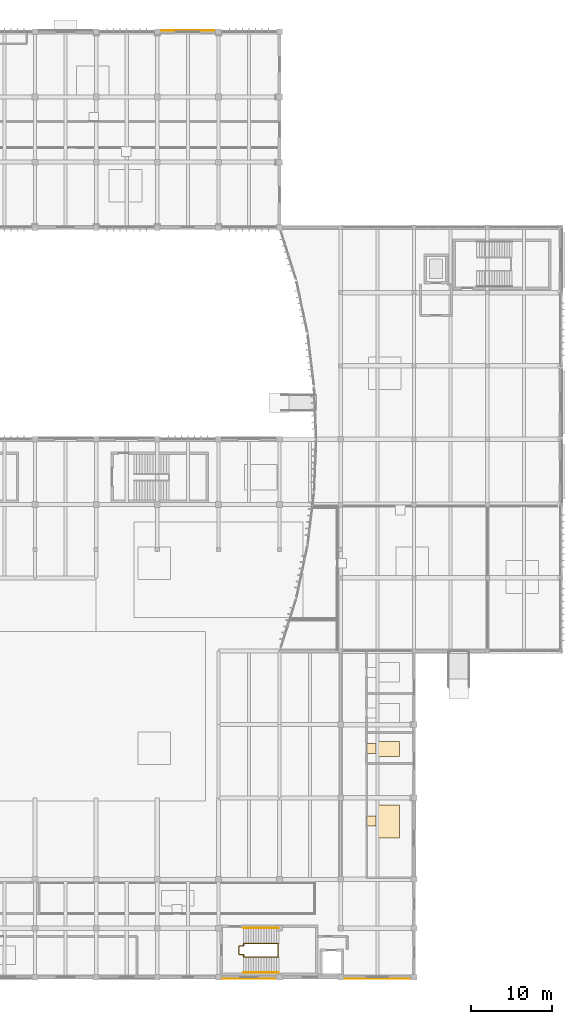
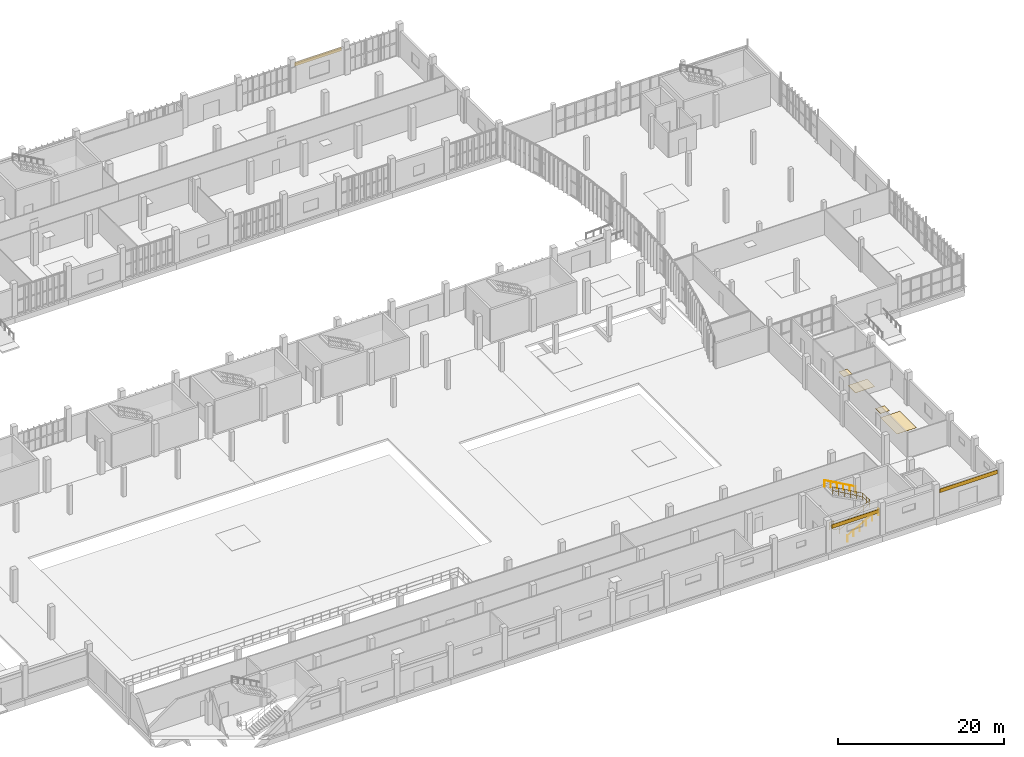
# One storey, part 68 of 72: 7 coverings, 4 railings.
"""IFC4 building model written with IfcOpenShell, lengths in metres."""

import ifcopenshell
import ifcopenshell.guid

model = None  # the IFC model being written
_history = None  # IfcOwnerHistory: only IFC2X3 demands one
_inside = {}  # id of a spatial element -> (the spatial element, [elements in it])
_under = {}  # id of a project, library or spatial element -> (it, [spatial elements below it])
_declared = {}  # id of a project -> (the project, [libraries it declares])
_typed = {}  # id of a type object -> (the type object, [elements of that type])
_made_of = {}  # id of a material, layer set ... -> (it, [elements and type objects made of it])


def new_model(schema):
    """Start an empty IFC model of exactly this schema.

    Asked for "IFC4X3", IfcOpenShell would pick the latest addendum, in which some entities
    have other attributes; the version numbers below select the first issue.
    IFC2X3 requires an IfcOwnerHistory on every rooted entity: one is made here for all.
    """
    global model, _history
    if schema == "IFC4X3":
        model = ifcopenshell.file(schema_version=(4, 3, 0, 0))
    else:
        model = ifcopenshell.file(schema=schema)
    _inside.clear()
    _under.clear()
    _declared.clear()
    _typed.clear()
    _made_of.clear()
    _history = None
    if model.schema == "IFC2X3":
        org = make("IfcOrganization", Name="unknown")
        user = make(
            "IfcPersonAndOrganization",
            ThePerson=make("IfcPerson", FamilyName="unknown"),
            TheOrganization=org,
        )
        app = make(
            "IfcApplication",
            ApplicationDeveloper=org,
            Version="unknown",
            ApplicationFullName="unknown",
            ApplicationIdentifier="unknown",
        )
        _history = make(
            "IfcOwnerHistory",
            OwningUser=user,
            OwningApplication=app,
            ChangeAction="ADDED",
            CreationDate=0,
        )
    return model


def make(cls, **values):
    """One entity of the class cls with the attributes given. An attribute that is None is left unset."""
    return model.create_entity(
        cls, **{name: value for name, value in values.items() if value is not None}
    )


def rooted(cls, **values):
    """An entity with a GlobalId (a new one), such as an element, a storey or a relation."""
    return make(cls, GlobalId=ifcopenshell.guid.new(), OwnerHistory=_history, **values)


def si_unit(unit_type, name, prefix=None):
    """IfcSIUnit, for example si_unit("LENGTHUNIT", "METRE", prefix="MILLI")."""
    return make("IfcSIUnit", UnitType=unit_type, Prefix=prefix, Name=name)


def assignment(units):
    """IfcUnitAssignment: the units of a project."""
    return None if units is None else make("IfcUnitAssignment", Units=units)


def point(xyz):
    """IfcCartesianPoint."""
    return None if xyz is None else make("IfcCartesianPoint", Coordinates=xyz)


def direction(xyz):
    """IfcDirection."""
    return None if xyz is None else make("IfcDirection", DirectionRatios=xyz)


def frame(location, z_axis=None, x_axis=None):
    """IfcAxis2Placement3D, a coordinate frame: its origin and axes. An axis left out is left unset."""
    return make(
        "IfcAxis2Placement3D",
        Location=point(location),
        Axis=direction(z_axis),
        RefDirection=direction(x_axis),
    )


def frame_2d(location, x_axis=None):
    """IfcAxis2Placement2D, a coordinate frame in the plane: its origin and x axis."""
    return make(
        "IfcAxis2Placement2D", Location=point(location), RefDirection=direction(x_axis)
    )


def origin():
    """The frame at (0, 0, 0) with its axes left unset."""
    return frame((0.0, 0.0, 0.0))


def origin_2d():
    """The frame at (0, 0) in the plane with its x axis left unset."""
    return frame_2d((0.0, 0.0))


def place(relative_to, where):
    """IfcLocalPlacement: puts the frame where relative to a parent placement (None: the world)."""
    return make(
        "IfcLocalPlacement", PlacementRelTo=relative_to, RelativePlacement=where
    )


def context(
    kind, dimensions, precision=None, world=None, true_north=None, identifier=None
):
    """IfcGeometricRepresentationContext, for example the 3D "Model" context."""
    return make(
        "IfcGeometricRepresentationContext",
        ContextIdentifier=identifier,
        ContextType=kind,
        CoordinateSpaceDimension=dimensions,
        Precision=precision,
        WorldCoordinateSystem=world,
        TrueNorth=true_north,
    )


def subcontext(parent, identifier, kind, view, scale=None):
    """IfcGeometricRepresentationSubContext, for example "Body" below "Model"."""
    return make(
        "IfcGeometricRepresentationSubContext",
        ContextIdentifier=identifier,
        ContextType=kind,
        ParentContext=parent,
        TargetScale=scale,
        TargetView=view,
    )


def project(units=None, contexts=None):
    """IfcProject with its units and contexts."""
    return rooted(
        "IfcProject",
        Name="project",
        RepresentationContexts=contexts,
        UnitsInContext=assignment(units),
    )


def spatial(cls, under=None, at=None, **own):
    """A site, building, storey or space (cls), placed at a placement, below another one or the project."""
    s = rooted(cls, ObjectPlacement=at, **own)
    if under is not None:
        _under.setdefault(under.id(), (under, []))[1].append(s)
    return s


def profile(cls, at=None, kind="AREA", **sizes):
    """A parametric profile (cls). Its sizes go by their IFC names, for example OverallWidth=200.0."""
    return make(cls, ProfileType=kind, Position=at, **sizes)


def rectangle(**sizes):
    """IfcRectangleProfileDef."""
    return profile("IfcRectangleProfileDef", **sizes)


def circle(**sizes):
    """IfcCircleProfileDef."""
    return profile("IfcCircleProfileDef", **sizes)


def extrude(swept, where, along, depth):
    """IfcExtrudedAreaSolid: the profile swept, set in the frame where, extruded along a direction by depth."""
    return make(
        "IfcExtrudedAreaSolid",
        SweptArea=swept,
        Position=where,
        ExtrudedDirection=direction(along),
        Depth=depth,
    )


def shape(context_of_items, identifier, shape_type, items):
    """IfcShapeRepresentation: the items that make up one representation, for example the "Body"."""
    return make(
        "IfcShapeRepresentation",
        ContextOfItems=context_of_items,
        RepresentationIdentifier=identifier,
        RepresentationType=shape_type,
        Items=items,
    )


def material(Name=None, Category=None):
    """IfcMaterial."""
    return make("IfcMaterial", Name=Name, Category=Category)


def layer(
    of_material, thickness, ventilated=None, Name=None, Category=None, Priority=None
):
    """IfcMaterialLayer: one layer of a wall or slab, of a material (None: an air gap)."""
    return make(
        "IfcMaterialLayer",
        Material=of_material,
        LayerThickness=thickness,
        IsVentilated=ventilated,
        Name=Name,
        Category=Category,
        Priority=Priority,
    )


def layer_set(layers, Name=None):
    """IfcMaterialLayerSet."""
    return make("IfcMaterialLayerSet", MaterialLayers=layers, LayerSetName=Name)


def made_of(thing, what):
    """Note that an element or type object is made of a material, layer set ...; save() writes the relation."""
    if what is not None:
        _made_of.setdefault(what.id(), (what, []))[1].append(thing)
    return thing


def type_object(cls, material=None, **own):
    """A type object (cls), such as IfcWallType, which elements share."""
    return made_of(rooted(cls, **own), material)


def element(
    cls,
    number,
    at=None,
    inside=None,
    cuts=None,
    type_object=None,
    material=None,
    context=None,
    identifier="Body",
    shape_type=None,
    held_by="IfcProductDefinitionShape",
    body=None,
    shapes=None,
    **own,
):
    """One element of the class cls, such as IfcWall. Its Tag is "e" and its number.

    at: its placement. inside: the storey or other place that contains it. cuts: it is an
    opening in that element (IfcRelVoidsElement). A single representation is given by context,
    identifier, shape_type and body (its items); several are given by shapes. held_by: the class
    of the entity that holds the representations. save() writes the other relations.
    """
    e = rooted(cls, Tag="e%d" % number, ObjectPlacement=at, **own)
    if body is not None:
        shapes = [shape(context, identifier, shape_type, body)]
    if shapes is not None:
        e.Representation = make(held_by, Representations=shapes)
    if inside is not None:
        _inside.setdefault(inside.id(), (inside, []))[1].append(e)
    if cuts is not None:
        rooted(
            "IfcRelVoidsElement", RelatingBuildingElement=cuts, RelatedOpeningElement=e
        )
    if type_object is not None:
        _typed.setdefault(type_object.id(), (type_object, []))[1].append(e)
    return made_of(e, material)


def aggregate(whole, parts):
    """IfcRelAggregates: a whole, such as a stair, and the parts it consists of."""
    return rooted("IfcRelAggregates", RelatingObject=whole, RelatedObjects=parts)


def save(model, path):
    """Write the relations noted so far, then the file.

    IfcRelAggregates (storeys below a building ...), IfcRelContainedInSpatialStructure (elements
    in a storey), IfcRelDefinesByType, IfcRelAssociatesMaterial and IfcRelDeclares: one each for
    every whole, place, type object, material and project.
    """
    for whole, parts in _under.values():
        aggregate(whole, parts)
    for where, things in _inside.values():
        rooted(
            "IfcRelContainedInSpatialStructure",
            RelatedElements=things,
            RelatingStructure=where,
        )
    for kind, things in _typed.values():
        rooted("IfcRelDefinesByType", RelatedObjects=things, RelatingType=kind)
    for what, things in _made_of.values():
        rooted("IfcRelAssociatesMaterial", RelatedObjects=things, RelatingMaterial=what)
    for by, libraries in _declared.values():
        rooted("IfcRelDeclares", RelatingContext=by, RelatedDefinitions=libraries)
    model.write(path)


model = new_model("IFC4")

# Units and contexts
model_context = context("Model", 3, precision=1e-05, world=origin(), true_north=direction((0.0, 1.0)))
body_context = subcontext(model_context, "Body", "Model", "MODEL_VIEW")
ifc_project = project(units=[si_unit("LENGTHUNIT", "METRE"), si_unit("AREAUNIT", "SQUARE_METRE"), si_unit("VOLUMEUNIT", "CUBIC_METRE"), si_unit("PLANEANGLEUNIT", "RADIAN"), si_unit("MASSUNIT", "GRAM", prefix="KILO")], contexts=[model_context])

# Site, building, storey
site_placement = place(None, origin())
site = spatial("IfcSite", under=ifc_project, at=site_placement, CompositionType="ELEMENT")
building_placement = place(site_placement, origin())
building = spatial("IfcBuilding", under=site, at=building_placement, Name="Vourika Railside Aquatics Centre", CompositionType="ELEMENT")
storey_placement = place(building_placement, origin())
storey = spatial("IfcBuildingStorey", under=building, at=storey_placement, Name="L00", CompositionType="ELEMENT", Elevation=0.0)

# Coverings
ifc_material_1 = material(Name="Perforated moisture-resistant acoustic gypsum ceiling")
ifc_layer_1 = layer(ifc_material_1, 0.02490234375, Name="COV-CEIL-25")
ifc_layer_set_1 = layer_set([ifc_layer_1], Name="Perforated moisture-resistant acoustic gypsum ceiling")
covering_type_1 = type_object("IfcCoveringType", Name="COV-CEIL-25", PredefinedType="CEILING", material=ifc_layer_set_1)
for number, where, z_axis, x_axis, name in (
    (1, (144.719970703125, 28.06494140625, 2.637451171875), (0.0, 0.0, 1.0), (1.0, 0.0, 0.0), "Concourse Accessible WC Acoustic Ceiling Panel"),
    (2, (144.719970703125, 19.1650390625, 2.637451171875), (0.0, 0.0, 1.0), (1.0, 0.0, 0.0), "Anti-Doping Testing and Chaperone Suite Acoustic Ceiling Panel"),
):
    element("IfcCovering", number, at=place(storey_placement, frame(where, z_axis=z_axis, x_axis=x_axis)), inside=storey, type_object=covering_type_1, Name=name, PredefinedType="CEILING", context=body_context, shape_type="SweptSolid", body=[
        extrude(rectangle(XDim=1.199951171875, YDim=1.199951171875, at=origin_2d()), origin(), (0.0, 0.0, 1.0), 0.02490234375),
    ])
ifc_material_2 = material(Name="Bronze-anodized aluminium rainscreen", Category="aluminium")
ifc_layer_2 = layer(ifc_material_2, 0.044921875, Name="COV-CLAD-45")
ifc_layer_set_2 = layer_set([ifc_layer_2], Name="Bronze-anodized aluminium rainscreen")
covering_type_2 = type_object("IfcCoveringType", Name="COV-CLAD-45", PredefinedType="CLADDING", material=ifc_layer_set_2)
covering_1_placement = place(storey_placement, frame((129.75, -0.18994140625, 3.30517578125), z_axis=(0.0, 0.0, 1.0), x_axis=(1.0, 0.0, 0.0)))
element("IfcCovering", 3, at=covering_1_placement, inside=storey, type_object=covering_type_2, Name="Perforated Bronze Rainscreen Band CL-030", PredefinedType="CLADDING", context=body_context, shape_type="SweptSolid", body=[
    extrude(rectangle(XDim=6.5, YDim=0.044921875, at=origin_2d()), origin(), (0.0, 0.0, 1.0), 0.550048828125),
])
covering_2_placement = place(storey_placement, frame((145.5, -0.18994140625, 3.30517578125), z_axis=(0.0, 0.0, 1.0), x_axis=(1.0, 0.0, 0.0)))
element("IfcCovering", 4, at=covering_2_placement, inside=storey, type_object=covering_type_2, Name="Perforated Bronze Rainscreen Band CL-031", PredefinedType="CLADDING", context=body_context, shape_type="SweptSolid", body=[
    extrude(rectangle(XDim=8.0, YDim=0.044921875, at=origin_2d()), origin(), (0.0, 0.0, 1.0), 0.550048828125),
])
covering_3_placement = place(storey_placement, frame((122.25, 116.179931640625, 3.30517578125), z_axis=(0.0, 0.0, 1.0), x_axis=(-1.0, 0.0, 0.0)))
element("IfcCovering", 5, at=covering_3_placement, inside=storey, type_object=covering_type_2, Name="Perforated Bronze Rainscreen Band CL-048", PredefinedType="CLADDING", context=body_context, shape_type="SweptSolid", body=[
    extrude(rectangle(XDim=6.5, YDim=0.044921875, at=origin_2d()), origin(), (0.0, 0.0, 1.0), 0.550048828125),
])
ifc_material_3 = material(Name="Slip-resistant aqua ceramic sports flooring")
ifc_layer_3 = layer(ifc_material_3, 0.02001953125, Name="COV-FLOR-20")
ifc_layer_set_3 = layer_set([ifc_layer_3], Name="Slip-resistant aqua ceramic sports flooring")
covering_type_3 = type_object("IfcCoveringType", Name="COV-FLOR-20", PredefinedType="FLOORING", material=ifc_layer_set_3)
covering_4_placement = place(storey_placement, frame((146.89990234375, 28.0, 0.0), z_axis=(0.0, 0.0, 1.0), x_axis=(1.0, 0.0, 0.0)))
element("IfcCovering", 6, at=covering_4_placement, inside=storey, type_object=covering_type_3, Name="Concourse Accessible WC Sports Flooring Panel", PredefinedType="FLOORING", context=body_context, shape_type="SweptSolid", body=[
    extrude(rectangle(XDim=2.699951171875, YDim=1.800048828125, at=origin_2d()), origin(), (0.0, 0.0, 1.0), 0.02001953125),
])
covering_5_placement = place(storey_placement, frame((146.89990234375, 19.10009765625, 0.0), z_axis=(0.0, 0.0, 1.0), x_axis=(1.0, 0.0, 0.0)))
element("IfcCovering", 7, at=covering_5_placement, inside=storey, type_object=covering_type_3, Name="Anti-Doping Testing and Chaperone Suite Sports Flooring Panel", PredefinedType="FLOORING", context=body_context, shape_type="SweptSolid", body=[
    extrude(rectangle(XDim=2.699951171875, YDim=4.0, at=origin_2d()), origin(), (0.0, 0.0, 1.0), 0.02001953125),
])

# Railings
ifc_material_4 = material(Name="Duplex stainless steel EN 1.4462", Category="steel")
railing_type_1 = type_object("IfcRailingType", Name="RL-HAND-920", PredefinedType="HANDRAIL", material=ifc_material_4)
railing_1_placement = place(storey_placement, frame((129.10009765625, 0.56005859375, 0.0)))
element("IfcRailing", 8, at=railing_1_placement, inside=storey, type_object=railing_type_1, Name="Protected Exit Stair Core ST06 Lower Wall Handrail (L00)", PredefinedType="HANDRAIL", context=body_context, shape_type="SweptSolid", body=[
    extrude(circle(Radius=0.02392578125, at=origin_2d()), frame((0.0, 0.0, 0.89599609375), z_axis=(0.873783640258, 0.0, 0.486314867157), x_axis=(0.0, 1.0, 0.0)), (0.0, 0.0, 1.0), 4.934814453125),
    extrude(circle(Radius=0.02099609375, at=origin_2d()), origin(), (0.0, 0.0, 1.0), 0.871826171875),
    extrude(circle(Radius=0.02099609375, at=origin_2d()), frame((0.8623046875, 0.0, 0.47998046875)), (0.0, 0.0, 1.0), 0.871826171875),
    extrude(circle(Radius=0.02099609375, at=origin_2d()), frame((1.724853515625, 0.0, 0.9599609375)), (0.0, 0.0, 1.0), 0.871826171875),
    extrude(circle(Radius=0.02099609375, at=origin_2d()), frame((2.587158203125, 0.0, 1.43994140625)), (0.0, 0.0, 1.0), 0.871826171875),
    extrude(circle(Radius=0.02099609375, at=origin_2d()), frame((3.44970703125, 0.0, 1.919921875)), (0.0, 0.0, 1.0), 0.871826171875),
    extrude(circle(Radius=0.02099609375, at=origin_2d()), frame((4.31201171875, 0.0, 2.39990234375)), (0.0, 0.0, 1.0), 0.871826171875),
])
railing_2_placement = place(storey_placement, frame((133.412109375, 6.0400390625, 2.39990234375)))
element("IfcRailing", 9, at=railing_2_placement, inside=storey, type_object=railing_type_1, Name="Protected Exit Stair Core ST06 Upper Wall Handrail (L00)", PredefinedType="HANDRAIL", context=body_context, shape_type="SweptSolid", body=[
    extrude(circle(Radius=0.02392578125, at=origin_2d()), frame((0.0, 0.0, 0.89599609375), z_axis=(-0.873762617393, 0.0, 0.486352637956), x_axis=(0.0, -1.0, 0.0)), (0.0, 0.0, 1.0), 4.93505859375),
    extrude(circle(Radius=0.02099609375, at=origin_2d()), origin(), (0.0, 0.0, 1.0), 0.871826171875),
    extrude(circle(Radius=0.02099609375, at=origin_2d()), frame((-0.8623046875, 0.0, 0.47998046875)), (0.0, 0.0, 1.0), 0.871826171875),
    extrude(circle(Radius=0.02099609375, at=origin_2d()), frame((-1.724853515625, 0.0, 0.9599609375)), (0.0, 0.0, 1.0), 0.871826171875),
    extrude(circle(Radius=0.02099609375, at=origin_2d()), frame((-2.587158203125, 0.0, 1.440185546875)), (0.0, 0.0, 1.0), 0.871826171875),
    extrude(circle(Radius=0.02099609375, at=origin_2d()), frame((-3.44970703125, 0.0, 1.920166015625)), (0.0, 0.0, 1.0), 0.871826171875),
    extrude(circle(Radius=0.02099609375, at=origin_2d()), frame((-4.31201171875, 0.0, 2.400146484375)), (0.0, 0.0, 1.0), 0.871826171875),
])
railing_type_2 = type_object("IfcRailingType", Name="RL-STAIR-1120", PredefinedType="BALUSTRADE", material=ifc_material_4)
railing_3_placement = place(storey_placement, frame((129.10009765625, 2.550048828125, 0.0)))
element("IfcRailing", 10, at=railing_3_placement, inside=storey, type_object=railing_type_2, Name="Protected Exit Stair Core ST06 Well Edge Guard (L00)", PredefinedType="BALUSTRADE", context=body_context, shape_type="SweptSolid", body=[
    extrude(circle(Radius=0.02392578125, at=origin_2d()), frame((0.0, 0.0, 1.09619140625), z_axis=(0.0, 1.0, 0.0), x_axis=(-1.0, 0.0, 0.0)), (0.0, 0.0, 1.0), 0.25),
    extrude(circle(Radius=0.02392578125, at=origin_2d()), frame((0.0, 0.0, 0.56005859375), z_axis=(0.0, 1.0, 0.0), x_axis=(-1.0, 0.0, 0.0)), (0.0, 0.0, 1.0), 0.25),
    extrude(circle(Radius=0.02392578125, at=origin_2d()), frame((0.0, 0.25, 1.09619140625), z_axis=(-1.0, 0.0, 0.0), x_axis=(0.0, -1.0, 0.0)), (0.0, 0.0, 1.0), 0.570068359375),
    extrude(circle(Radius=0.02392578125, at=origin_2d()), frame((0.0, 0.25, 0.56005859375), z_axis=(-1.0, 0.0, 0.0), x_axis=(0.0, -1.0, 0.0)), (0.0, 0.0, 1.0), 0.570068359375),
    extrude(circle(Radius=0.02392578125, at=origin_2d()), frame((-0.570068359375, 0.25, 1.09619140625), z_axis=(0.0, 1.0, 0.0), x_axis=(-1.0, 0.0, 0.0)), (0.0, 0.0, 1.0), 1.0),
    extrude(circle(Radius=0.02392578125, at=origin_2d()), frame((-0.570068359375, 0.25, 0.56005859375), z_axis=(0.0, 1.0, 0.0), x_axis=(-1.0, 0.0, 0.0)), (0.0, 0.0, 1.0), 1.0),
    extrude(circle(Radius=0.02392578125, at=origin_2d()), frame((-0.570068359375, 1.25, 1.09619140625), z_axis=(1.0, 0.0, 0.0), x_axis=(0.0, 1.0, 0.0)), (0.0, 0.0, 1.0), 0.570068359375),
    extrude(circle(Radius=0.02392578125, at=origin_2d()), frame((-0.570068359375, 1.25, 0.56005859375), z_axis=(1.0, 0.0, 0.0), x_axis=(0.0, 1.0, 0.0)), (0.0, 0.0, 1.0), 0.570068359375),
    extrude(circle(Radius=0.02392578125, at=origin_2d()), frame((0.0, 1.25, 1.09619140625), z_axis=(0.0, 1.0, 0.0), x_axis=(-1.0, 0.0, 0.0)), (0.0, 0.0, 1.0), 0.25),
    extrude(circle(Radius=0.02392578125, at=origin_2d()), frame((0.0, 1.25, 0.56005859375), z_axis=(0.0, 1.0, 0.0), x_axis=(-1.0, 0.0, 0.0)), (0.0, 0.0, 1.0), 0.25),
    extrude(circle(Radius=0.02099609375, at=origin_2d()), origin(), (0.0, 0.0, 1.0), 1.072021484375),
    extrude(circle(Radius=0.02099609375, at=origin_2d()), frame((0.0, 0.25, 0.0)), (0.0, 0.0, 1.0), 1.072021484375),
    extrude(circle(Radius=0.02099609375, at=origin_2d()), frame((-0.570068359375, 0.25, 0.0)), (0.0, 0.0, 1.0), 1.072021484375),
    extrude(circle(Radius=0.02099609375, at=origin_2d()), frame((-0.570068359375, 1.25, 0.0)), (0.0, 0.0, 1.0), 1.072021484375),
    extrude(circle(Radius=0.02099609375, at=origin_2d()), frame((0.0, 1.25, 0.0)), (0.0, 0.0, 1.0), 1.072021484375),
    extrude(circle(Radius=0.02099609375, at=origin_2d()), frame((0.0, 1.5, 0.0)), (0.0, 0.0, 1.0), 1.072021484375),
])
railing_4_placement = place(storey_placement, frame((129.10009765625, 2.47998046875, 0.0)))
element("IfcRailing", 11, at=railing_4_placement, inside=storey, type_object=railing_type_2, Name="Protected Exit Stair Core ST06 Center Well Guard (L00)", PredefinedType="BALUSTRADE", context=body_context, shape_type="SweptSolid", body=[
    extrude(circle(Radius=0.02392578125, at=origin_2d()), frame((0.0, 0.0, 1.09619140625), z_axis=(0.868856127307, 0.0, 0.495064672584), x_axis=(0.0, 1.0, 0.0)), (0.0, 0.0, 1.0), 4.84765625),
    extrude(circle(Radius=0.02392578125, at=origin_2d()), frame((0.0, 0.0, 0.56005859375), z_axis=(0.868856127307, 0.0, 0.495064672584), x_axis=(0.0, 1.0, 0.0)), (0.0, 0.0, 1.0), 4.84765625),
    extrude(circle(Radius=0.02392578125, at=origin_2d()), frame((4.2119140625, 0.0, 3.49609375), z_axis=(0.0, 1.0, 0.0), x_axis=(-1.0, 0.0, 0.0)), (0.0, 0.0, 1.0), 1.64013671875),
    extrude(circle(Radius=0.02392578125, at=origin_2d()), frame((4.2119140625, 0.0, 2.9599609375), z_axis=(0.0, 1.0, 0.0), x_axis=(-1.0, 0.0, 0.0)), (0.0, 0.0, 1.0), 1.64013671875),
    extrude(circle(Radius=0.02392578125, at=origin_2d()), frame((4.2119140625, 1.64013671875, 3.49609375), z_axis=(-0.868834464034, 0.0, 0.495102690466), x_axis=(0.0, -1.0, 0.0)), (0.0, 0.0, 1.0), 4.84765625),
    extrude(circle(Radius=0.02392578125, at=origin_2d()), frame((4.2119140625, 1.64013671875, 2.9599609375), z_axis=(-0.868834464034, 0.0, 0.495102690466), x_axis=(0.0, -1.0, 0.0)), (0.0, 0.0, 1.0), 4.84765625),
    extrude(circle(Radius=0.02099609375, at=origin_2d()), origin(), (0.0, 0.0, 1.0), 1.072021484375),
    extrude(circle(Radius=0.02099609375, at=origin_2d()), frame((0.84228515625, 0.0, 0.47998046875)), (0.0, 0.0, 1.0), 1.072021484375),
    extrude(circle(Radius=0.02099609375, at=origin_2d()), frame((1.684814453125, 0.0, 0.9599609375)), (0.0, 0.0, 1.0), 1.072021484375),
    extrude(circle(Radius=0.02099609375, at=origin_2d()), frame((2.527099609375, 0.0, 1.43994140625)), (0.0, 0.0, 1.0), 1.072021484375),
    extrude(circle(Radius=0.02099609375, at=origin_2d()), frame((3.36962890625, 0.0, 1.919921875)), (0.0, 0.0, 1.0), 1.072021484375),
    extrude(circle(Radius=0.02099609375, at=origin_2d()), frame((4.2119140625, 0.0, 2.39990234375)), (0.0, 0.0, 1.0), 1.072021484375),
    extrude(circle(Radius=0.02099609375, at=origin_2d()), frame((4.2119140625, 0.820068359375, 2.39990234375)), (0.0, 0.0, 1.0), 1.072021484375),
    extrude(circle(Radius=0.02099609375, at=origin_2d()), frame((4.2119140625, 1.64013671875, 2.39990234375)), (0.0, 0.0, 1.0), 1.072021484375),
    extrude(circle(Radius=0.02099609375, at=origin_2d()), frame((3.36962890625, 1.64013671875, 2.8798828125)), (0.0, 0.0, 1.0), 1.072021484375),
    extrude(circle(Radius=0.02099609375, at=origin_2d()), frame((2.527099609375, 1.64013671875, 3.35986328125)), (0.0, 0.0, 1.0), 1.072021484375),
    extrude(circle(Radius=0.02099609375, at=origin_2d()), frame((1.684814453125, 1.64013671875, 3.840087890625)), (0.0, 0.0, 1.0), 1.072021484375),
    extrude(circle(Radius=0.02099609375, at=origin_2d()), frame((0.84228515625, 1.64013671875, 4.320068359375)), (0.0, 0.0, 1.0), 1.072021484375),
    extrude(circle(Radius=0.02099609375, at=origin_2d()), frame((0.0, 1.64013671875, 4.800048828125)), (0.0, 0.0, 1.0), 1.072021484375),
])

save(model, "model.ifc")
